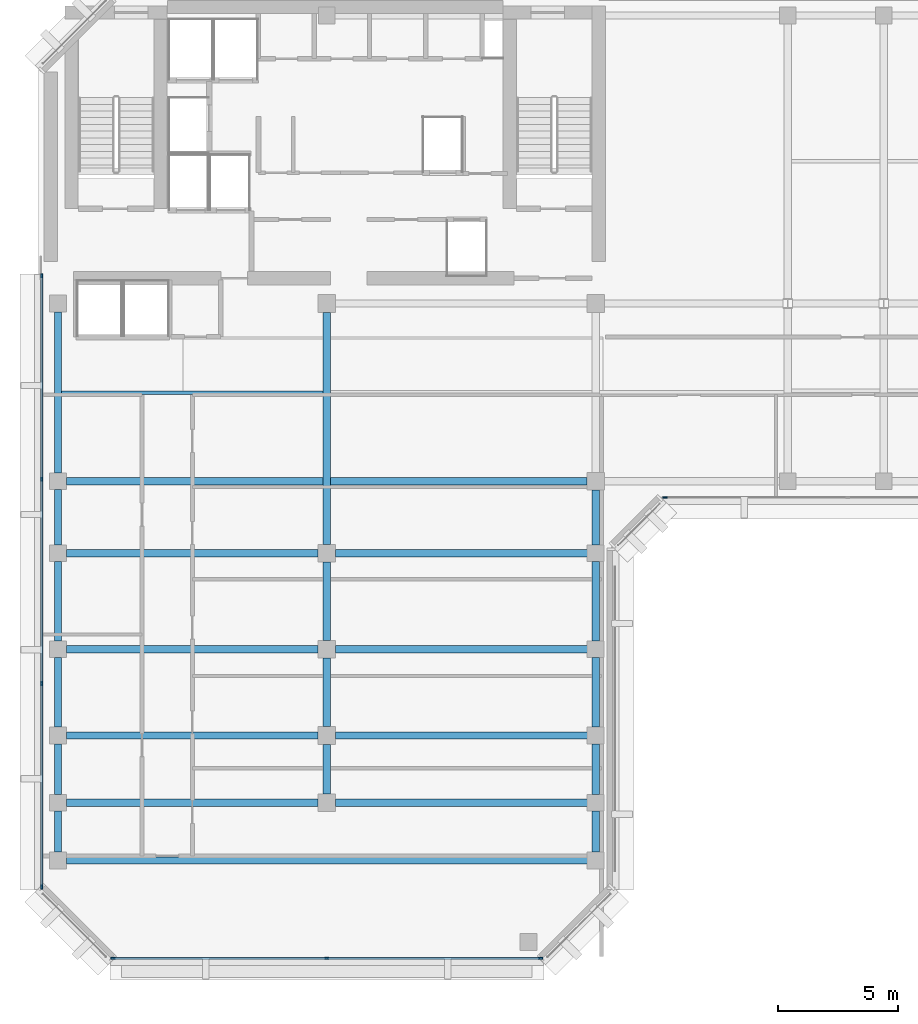
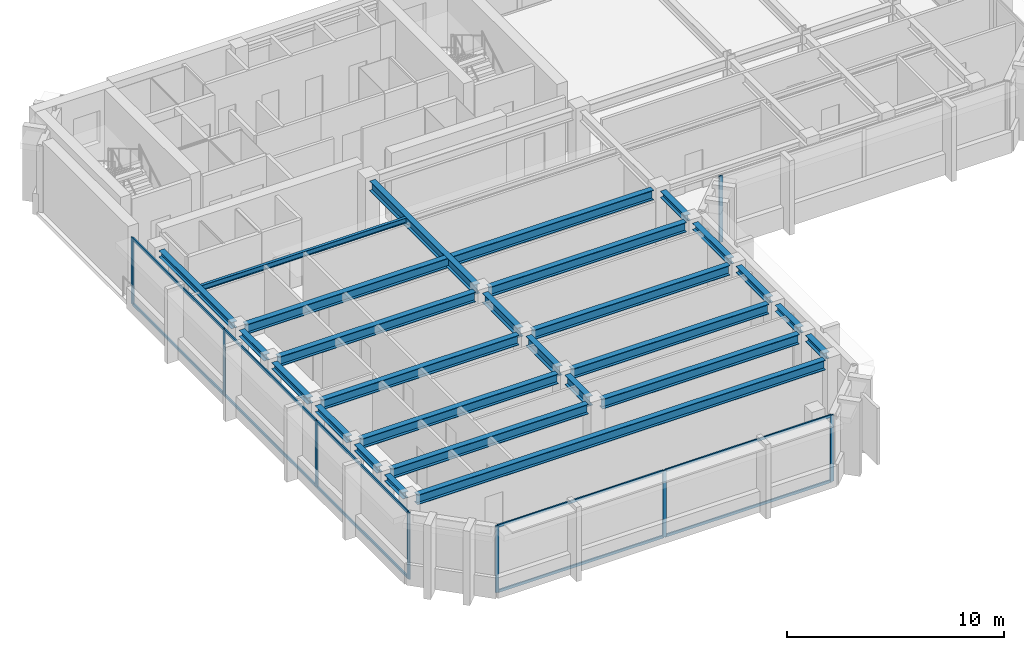
# One storey, part 2 of 11: 26 beams, 18 members, 3 elements without a shape of their own.
"""IFC4 building model written with IfcOpenShell, lengths in metres."""

from ifc_helpers import new_model, si_unit, direction, frame, origin, origin_2d, place, context, subcontext, project, spatial, rectangle, i_section, extrude, material, layer, layer_set, material_profile, profile_set, type_object, element, aggregate, save


model = new_model("IFC4")

# Units and contexts
model_context = context("Model", 3, precision=1e-05, world=origin(), true_north=direction((0.0, 1.0)))
body_context = subcontext(model_context, "Body", "Model", "MODEL_VIEW")
ifc_project = project(units=[si_unit("LENGTHUNIT", "METRE"), si_unit("AREAUNIT", "SQUARE_METRE"), si_unit("VOLUMEUNIT", "CUBIC_METRE"), si_unit("PLANEANGLEUNIT", "RADIAN"), si_unit("MASSUNIT", "GRAM", prefix="KILO")], contexts=[model_context])

# Site, building, storey
site_placement = place(None, origin())
site = spatial("IfcSite", under=ifc_project, at=site_placement, CompositionType="ELEMENT")
building_placement = place(site_placement, origin())
building = spatial("IfcBuilding", under=site, at=building_placement, Name="Kefirva Bronze Tower", CompositionType="ELEMENT")
storey_placement = place(building_placement, frame((0.0, 0.0, 335.610107421875)))
storey = spatial("IfcBuildingStorey", under=building, at=storey_placement, Name="L82", CompositionType="ELEMENT", Elevation=335.610107421875)

# Curtain wall, members
ifc_material_1 = material(Name="Bronze anodised aluminium", Category="aluminium")
ifc_layer = layer(ifc_material_1, 0.179931640625, Name="Bronze anodised aluminium")
ifc_layer_set = layer_set([ifc_layer], Name="Bronze anodised aluminium")
curtain_wall_type = type_object("IfcCurtainWallType", Name="Unitised Bronze Ribbon Curtain Wall Zone 4", PredefinedType="USERDEFINED", material=ifc_layer_set)
curtain_wall_1_placement = place(storey_placement, origin())
curtain_wall_1 = element("IfcCurtainWall", 1, at=curtain_wall_1_placement, inside=storey, type_object=curtain_wall_type, Name="L82 Curtain Wall 1", ObjectType="UNITISED CURTAIN WALL", PredefinedType="USERDEFINED")
ifc_material_profile_1 = material_profile(ifc_material_1, rectangle(XDim=0.074951171875, YDim=0.179931640625, at=origin_2d()), Name="ALU 75x180")
ifc_profile_set_1 = profile_set([ifc_material_profile_1], Name="Bronze anodised aluminium")
member_type_1 = type_object("IfcMemberType", Name="Bronze Mullion 75x180", PredefinedType="MULLION", material=ifc_profile_set_1)
member_1_placement = place(storey_placement, frame((3.092529296875, 5.919921875, 0.0), z_axis=(0.0, 0.0, 1.0), x_axis=(0.0, 1.0, 0.0)))
member_1 = element("IfcMember", 2, at=member_1_placement, type_object=member_type_1, Name="CW-04 mullion 1", PredefinedType="MULLION", context=body_context, shape_type="SweptSolid", body=[
    extrude(rectangle(XDim=0.074951171875, YDim=0.179931640625, at=origin_2d()), origin(), (0.0, 0.0, 1.0), 3.739990234375),
])
member_2_placement = place(storey_placement, frame((12.0, 5.919921875, 0.0), z_axis=(0.0, 0.0, 1.0), x_axis=(0.0, 1.0, 0.0)))
member_2 = element("IfcMember", 3, at=member_2_placement, type_object=member_type_1, Name="CW-04 mullion 2", PredefinedType="MULLION", context=body_context, shape_type="SweptSolid", body=[
    extrude(rectangle(XDim=0.074951171875, YDim=0.179931640625, at=origin_2d()), origin(), (0.0, 0.0, 1.0), 3.739990234375),
])
member_3_placement = place(storey_placement, frame((20.907470703125, 5.919921875, 0.0), z_axis=(0.0, 0.0, 1.0), x_axis=(0.0, 1.0, 0.0)))
member_3 = element("IfcMember", 4, at=member_3_placement, type_object=member_type_1, Name="CW-04 mullion 3", PredefinedType="MULLION", context=body_context, shape_type="SweptSolid", body=[
    extrude(rectangle(XDim=0.074951171875, YDim=0.179931640625, at=origin_2d()), origin(), (0.0, 0.0, 1.0), 3.739990234375),
])

# Curtain wall, member
curtain_wall_2_placement = place(storey_placement, origin())
curtain_wall_2 = element("IfcCurtainWall", 5, at=curtain_wall_2_placement, inside=storey, type_object=curtain_wall_type, Name="L82 Curtain Wall 2", ObjectType="UNITISED CURTAIN WALL", PredefinedType="USERDEFINED")
member_4_placement = place(storey_placement, frame((26.092529296875, 25.1201171875, 0.0), z_axis=(0.0, 0.0, 1.0), x_axis=(0.0, 1.0, 0.0)))
member_4 = element("IfcMember", 6, at=member_4_placement, type_object=member_type_1, Name="CW-04 mullion 1", PredefinedType="MULLION", context=body_context, shape_type="SweptSolid", body=[
    extrude(rectangle(XDim=0.074951171875, YDim=0.179931640625, at=origin_2d()), origin(), (0.0, 0.0, 1.0), 3.739990234375),
])
aggregate(curtain_wall_2, [member_4])

# Curtain wall, members
curtain_wall_3_placement = place(storey_placement, origin())
curtain_wall_3 = element("IfcCurtainWall", 7, at=curtain_wall_3_placement, inside=storey, type_object=curtain_wall_type, Name="L82 Curtain Wall 5", ObjectType="UNITISED CURTAIN WALL", PredefinedType="USERDEFINED")
member_5_placement = place(storey_placement, frame((0.1201171875, 34.357421875, 0.0), z_axis=(0.0, 0.0, 1.0), x_axis=(1.0, 0.0, 0.0)))
member_5 = element("IfcMember", 8, at=member_5_placement, type_object=member_type_1, Name="CW-04 mullion 1", PredefinedType="MULLION", context=body_context, shape_type="SweptSolid", body=[
    extrude(rectangle(XDim=0.074951171875, YDim=0.179931640625, at=origin_2d()), origin(), (0.0, 0.0, 1.0), 3.739990234375),
])
member_6_placement = place(storey_placement, frame((0.1201171875, 25.881591796875, 0.0), z_axis=(0.0, 0.0, 1.0), x_axis=(1.0, 0.0, 0.0)))
member_6 = element("IfcMember", 9, at=member_6_placement, type_object=member_type_1, Name="CW-04 mullion 2", PredefinedType="MULLION", context=body_context, shape_type="SweptSolid", body=[
    extrude(rectangle(XDim=0.074951171875, YDim=0.179931640625, at=origin_2d()), origin(), (0.0, 0.0, 1.0), 3.739990234375),
])
member_7_placement = place(storey_placement, frame((0.1201171875, 17.368408203125, 0.0), z_axis=(0.0, 0.0, 1.0), x_axis=(1.0, 0.0, 0.0)))
member_7 = element("IfcMember", 10, at=member_7_placement, type_object=member_type_1, Name="CW-04 mullion 3", PredefinedType="MULLION", context=body_context, shape_type="SweptSolid", body=[
    extrude(rectangle(XDim=0.074951171875, YDim=0.179931640625, at=origin_2d()), origin(), (0.0, 0.0, 1.0), 3.739990234375),
])
member_8_placement = place(storey_placement, frame((0.1201171875, 8.892578125, 0.0), z_axis=(0.0, 0.0, 1.0), x_axis=(1.0, 0.0, 0.0)))
member_8 = element("IfcMember", 11, at=member_8_placement, type_object=member_type_1, Name="CW-04 mullion 4", PredefinedType="MULLION", context=body_context, shape_type="SweptSolid", body=[
    extrude(rectangle(XDim=0.074951171875, YDim=0.179931640625, at=origin_2d()), origin(), (0.0, 0.0, 1.0), 3.739990234375),
])

# Member
ifc_material_profile_2 = material_profile(ifc_material_1, rectangle(XDim=0.074951171875, YDim=0.14990234375, at=origin_2d()), Name="ALU 75x150")
ifc_profile_set_2 = profile_set([ifc_material_profile_2], Name="Bronze anodised aluminium")
member_type_2 = type_object("IfcMemberType", Name="Bronze Transom 75x150", PredefinedType="USERDEFINED", material=ifc_profile_set_2)
member_9_placement = place(storey_placement, frame((3.1298828125, 5.919921875, 0.037353515625), z_axis=(1.0, 0.0, 0.0), x_axis=(0.0, 1.0, 0.0)))
member_9 = element("IfcMember", 12, at=member_9_placement, type_object=member_type_2, Name="CW-04 transom 1.1", ObjectType="TRANSOM", PredefinedType="USERDEFINED", context=body_context, shape_type="SweptSolid", body=[
    extrude(rectangle(XDim=0.074951171875, YDim=0.14990234375, at=origin_2d()), origin(), (0.0, 0.0, 1.0), 8.83251953125),
])

member_10_placement = place(storey_placement, frame((3.1298828125, 5.919921875, 3.702392578125), z_axis=(1.0, 0.0, 0.0), x_axis=(0.0, 1.0, 0.0)))
member_10 = element("IfcMember", 13, at=member_10_placement, type_object=member_type_2, Name="CW-04 transom 1.2", ObjectType="TRANSOM", PredefinedType="USERDEFINED", context=body_context, shape_type="SweptSolid", body=[
    extrude(rectangle(XDim=0.074951171875, YDim=0.14990234375, at=origin_2d()), origin(), (0.0, 0.0, 1.0), 8.83251953125),
])

member_11_placement = place(storey_placement, frame((12.03759765625, 5.919921875, 0.037353515625), z_axis=(1.0, 0.0, 0.0), x_axis=(0.0, 1.0, 0.0)))
member_11 = element("IfcMember", 14, at=member_11_placement, type_object=member_type_2, Name="CW-04 transom 2.1", ObjectType="TRANSOM", PredefinedType="USERDEFINED", context=body_context, shape_type="SweptSolid", body=[
    extrude(rectangle(XDim=0.074951171875, YDim=0.14990234375, at=origin_2d()), origin(), (0.0, 0.0, 1.0), 8.83251953125),
])

member_12_placement = place(storey_placement, frame((12.03759765625, 5.919921875, 3.702392578125), z_axis=(1.0, 0.0, 0.0), x_axis=(0.0, 1.0, 0.0)))
member_12 = element("IfcMember", 15, at=member_12_placement, type_object=member_type_2, Name="CW-04 transom 2.2", ObjectType="TRANSOM", PredefinedType="USERDEFINED", context=body_context, shape_type="SweptSolid", body=[
    extrude(rectangle(XDim=0.074951171875, YDim=0.14990234375, at=origin_2d()), origin(), (0.0, 0.0, 1.0), 8.83251953125),
])

aggregate(curtain_wall_1, [member_1, member_2, member_3, member_9, member_10, member_11, member_12])

member_13_placement = place(storey_placement, frame((0.1201171875, 34.320068359375, 0.037353515625), z_axis=(0.0, -1.0, 0.0), x_axis=(1.0, 0.0, 0.0)))
member_13 = element("IfcMember", 16, at=member_13_placement, type_object=member_type_2, Name="CW-04 transom 1.1", ObjectType="TRANSOM", PredefinedType="USERDEFINED", context=body_context, shape_type="SweptSolid", body=[
    extrude(rectangle(XDim=0.074951171875, YDim=0.14990234375, at=origin_2d()), origin(), (0.0, 0.0, 1.0), 8.40087890625),
])

member_14_placement = place(storey_placement, frame((0.1201171875, 34.320068359375, 3.702392578125), z_axis=(0.0, -1.0, 0.0), x_axis=(1.0, 0.0, 0.0)))
member_14 = element("IfcMember", 17, at=member_14_placement, type_object=member_type_2, Name="CW-04 transom 1.2", ObjectType="TRANSOM", PredefinedType="USERDEFINED", context=body_context, shape_type="SweptSolid", body=[
    extrude(rectangle(XDim=0.074951171875, YDim=0.14990234375, at=origin_2d()), origin(), (0.0, 0.0, 1.0), 8.40087890625),
])

member_15_placement = place(storey_placement, frame((0.1201171875, 25.84423828125, 0.037353515625), z_axis=(0.0, -1.0, 0.0), x_axis=(1.0, 0.0, 0.0)))
member_15 = element("IfcMember", 18, at=member_15_placement, type_object=member_type_2, Name="CW-04 transom 2.1", ObjectType="TRANSOM", PredefinedType="USERDEFINED", context=body_context, shape_type="SweptSolid", body=[
    extrude(rectangle(XDim=0.074951171875, YDim=0.14990234375, at=origin_2d()), origin(), (0.0, 0.0, 1.0), 8.4384765625),
])

member_16_placement = place(storey_placement, frame((0.1201171875, 25.84423828125, 3.702392578125), z_axis=(0.0, -1.0, 0.0), x_axis=(1.0, 0.0, 0.0)))
member_16 = element("IfcMember", 19, at=member_16_placement, type_object=member_type_2, Name="CW-04 transom 2.2", ObjectType="TRANSOM", PredefinedType="USERDEFINED", context=body_context, shape_type="SweptSolid", body=[
    extrude(rectangle(XDim=0.074951171875, YDim=0.14990234375, at=origin_2d()), origin(), (0.0, 0.0, 1.0), 8.4384765625),
])

member_17_placement = place(storey_placement, frame((0.1201171875, 17.330810546875, 0.037353515625), z_axis=(0.0, -1.0, 0.0), x_axis=(1.0, 0.0, 0.0)))
member_17 = element("IfcMember", 20, at=member_17_placement, type_object=member_type_2, Name="CW-04 transom 3.1", ObjectType="TRANSOM", PredefinedType="USERDEFINED", context=body_context, shape_type="SweptSolid", body=[
    extrude(rectangle(XDim=0.074951171875, YDim=0.14990234375, at=origin_2d()), origin(), (0.0, 0.0, 1.0), 8.40087890625),
])

member_18_placement = place(storey_placement, frame((0.1201171875, 17.330810546875, 3.702392578125), z_axis=(0.0, -1.0, 0.0), x_axis=(1.0, 0.0, 0.0)))
member_18 = element("IfcMember", 21, at=member_18_placement, type_object=member_type_2, Name="CW-04 transom 3.2", ObjectType="TRANSOM", PredefinedType="USERDEFINED", context=body_context, shape_type="SweptSolid", body=[
    extrude(rectangle(XDim=0.074951171875, YDim=0.14990234375, at=origin_2d()), origin(), (0.0, 0.0, 1.0), 8.40087890625),
])

aggregate(curtain_wall_3, [member_5, member_6, member_7, member_8, member_13, member_14, member_15, member_16, member_17, member_18])

# Beams
ifc_material_2 = material(Name="Steel S355", Category="steel")
ifc_material_profile_3 = material_profile(ifc_material_2, i_section(OverallWidth=0.14990234375, OverallDepth=0.300048828125, WebThickness=0.007080078125, FlangeThickness=0.0107421875, at=origin_2d()), Name="IPE 300")
ifc_profile_set_3 = profile_set([ifc_material_profile_3], Name="Steel S355")
beam_type_1 = type_object("IfcBeamType", Name="Steel Floor Joist IPE 300", PredefinedType="JOIST", material=ifc_profile_set_3)
beam_1_placement = place(storey_placement, frame((0.949951171875, 29.489990234375, 3.58984375), z_axis=(1.0, 0.0, 0.0), x_axis=(0.0, 1.0, 0.0)))
element("IfcBeam", 22, at=beam_1_placement, inside=storey, type_object=beam_type_1, Name="L82 JST-L82-0-294", PredefinedType="JOIST", context=body_context, shape_type="SweptSolid", body=[
    extrude(i_section(OverallWidth=0.14990234375, OverallDepth=0.300048828125, WebThickness=0.007080078125, FlangeThickness=0.0107421875, at=origin_2d()), origin(), (0.0, 0.0, 1.0), 10.900146484375),
])
ifc_material_profile_4 = material_profile(ifc_material_2, i_section(OverallWidth=0.300048828125, OverallDepth=0.550048828125, WebThickness=0.014892578125, FlangeThickness=0.029052734375, at=origin_2d()), Name="HEB 550")
ifc_profile_set_4 = profile_set([ifc_material_profile_4], Name="Steel S355")
beam_type_2 = type_object("IfcBeamType", Name="Steel Girder HEB 550", PredefinedType="USERDEFINED", material=ifc_profile_set_4)
beam_2_placement = place(storey_placement, frame((1.14990234375, 10.0, 3.46484375), z_axis=(1.0, 0.0, 0.0), x_axis=(0.0, 1.0, 0.0)))
element("IfcBeam", 23, at=beam_2_placement, inside=storey, type_object=beam_type_2, Name="L82 BM-L82-EW-0-100", ObjectType="GIRDER", PredefinedType="USERDEFINED", context=body_context, shape_type="SweptSolid", body=[
    extrude(i_section(OverallWidth=0.300048828125, OverallDepth=0.550048828125, WebThickness=0.014892578125, FlangeThickness=0.029052734375, at=origin_2d()), origin(), (0.0, 0.0, 1.0), 21.7001953125),
])
for number, where, z_axis, x_axis, name in (
    (24, (1.14990234375, 12.39990234375, 3.46484375), (1.0, 0.0, 0.0), (0.0, 1.0, 0.0), "L82 BM-L82-EW-0-124"),
    (25, (12.3701171875, 12.39990234375, 3.46484375), (1.0, 0.0, 0.0), (0.0, 1.0, 0.0), "L82 BM-L82-EW-12-124"),
    (26, (1.14990234375, 15.199951171875, 3.46484375), (1.0, 0.0, 0.0), (0.0, 1.0, 0.0), "L82 BM-L82-EW-0-152"),
    (27, (12.3701171875, 15.199951171875, 3.46484375), (1.0, 0.0, 0.0), (0.0, 1.0, 0.0), "L82 BM-L82-EW-12-152"),
    (28, (1.14990234375, 18.800048828125, 3.46484375), (1.0, 0.0, 0.0), (0.0, 1.0, 0.0), "L82 BM-L82-EW-0-188"),
    (29, (12.3701171875, 18.800048828125, 3.46484375), (1.0, 0.0, 0.0), (0.0, 1.0, 0.0), "L82 BM-L82-EW-12-188"),
    (30, (1.14990234375, 22.800048828125, 3.46484375), (1.0, 0.0, 0.0), (0.0, 1.0, 0.0), "L82 BM-L82-EW-0-228"),
    (31, (12.3701171875, 22.800048828125, 3.46484375), (1.0, 0.0, 0.0), (0.0, 1.0, 0.0), "L82 BM-L82-EW-12-228"),
):
    element("IfcBeam", number, at=place(storey_placement, frame(where, z_axis=z_axis, x_axis=x_axis)), inside=storey, type_object=beam_type_2, Name=name, ObjectType="GIRDER", PredefinedType="USERDEFINED", context=body_context, shape_type="SweptSolid", body=[
        extrude(i_section(OverallWidth=0.300048828125, OverallDepth=0.550048828125, WebThickness=0.014892578125, FlangeThickness=0.029052734375, at=origin_2d()), origin(), (0.0, 0.0, 1.0), 10.47998046875),
    ])
beam_3_placement = place(storey_placement, frame((1.14990234375, 25.800048828125, 3.46484375), z_axis=(1.0, 0.0, 0.0), x_axis=(0.0, 1.0, 0.0)))
element("IfcBeam", 32, at=beam_3_placement, inside=storey, type_object=beam_type_2, Name="L82 BM-L82-EW-0-258", ObjectType="GIRDER", PredefinedType="USERDEFINED", context=body_context, shape_type="SweptSolid", body=[
    extrude(i_section(OverallWidth=0.300048828125, OverallDepth=0.550048828125, WebThickness=0.014892578125, FlangeThickness=0.029052734375, at=origin_2d()), origin(), (0.0, 0.0, 1.0), 21.68017578125),
])
beam_4_placement = place(storey_placement, frame((12.0, 12.77001953125, 3.46484375), z_axis=(0.0, 1.0, 0.0), x_axis=(-1.0, 0.0, 0.0)))
element("IfcBeam", 33, at=beam_4_placement, inside=storey, type_object=beam_type_2, Name="L82 BM-L82-NS-120-12", ObjectType="GIRDER", PredefinedType="USERDEFINED", context=body_context, shape_type="SweptSolid", body=[
    extrude(i_section(OverallWidth=0.300048828125, OverallDepth=0.550048828125, WebThickness=0.014892578125, FlangeThickness=0.029052734375, at=origin_2d()), origin(), (0.0, 0.0, 1.0), 2.06005859375),
])
beam_5_placement = place(storey_placement, frame((12.0, 15.570068359375, 3.46484375), z_axis=(0.0, 1.0, 0.0), x_axis=(-1.0, 0.0, 0.0)))
element("IfcBeam", 34, at=beam_5_placement, inside=storey, type_object=beam_type_2, Name="L82 BM-L82-NS-120-15", ObjectType="GIRDER", PredefinedType="USERDEFINED", context=body_context, shape_type="SweptSolid", body=[
    extrude(i_section(OverallWidth=0.300048828125, OverallDepth=0.550048828125, WebThickness=0.014892578125, FlangeThickness=0.029052734375, at=origin_2d()), origin(), (0.0, 0.0, 1.0), 2.85986328125),
])
beam_6_placement = place(storey_placement, frame((12.0, 19.169921875, 3.46484375), z_axis=(0.0, 1.0, 0.0), x_axis=(-1.0, 0.0, 0.0)))
element("IfcBeam", 35, at=beam_6_placement, inside=storey, type_object=beam_type_2, Name="L82 BM-L82-NS-120-18", ObjectType="GIRDER", PredefinedType="USERDEFINED", context=body_context, shape_type="SweptSolid", body=[
    extrude(i_section(OverallWidth=0.300048828125, OverallDepth=0.550048828125, WebThickness=0.014892578125, FlangeThickness=0.029052734375, at=origin_2d()), origin(), (0.0, 0.0, 1.0), 3.260009765625),
])
beam_7_placement = place(storey_placement, frame((12.0, 23.169921875, 3.46484375), z_axis=(0.0, 1.0, 0.0), x_axis=(-1.0, 0.0, 0.0)))
element("IfcBeam", 36, at=beam_7_placement, inside=storey, type_object=beam_type_2, Name="L82 BM-L82-NS-120-22", ObjectType="GIRDER", PredefinedType="USERDEFINED", context=body_context, shape_type="SweptSolid", body=[
    extrude(i_section(OverallWidth=0.300048828125, OverallDepth=0.550048828125, WebThickness=0.014892578125, FlangeThickness=0.029052734375, at=origin_2d()), origin(), (0.0, 0.0, 1.0), 9.66015625),
])
ifc_material_profile_5 = material_profile(ifc_material_2, i_section(OverallWidth=0.300048828125, OverallDepth=0.360107421875, WebThickness=0.012451171875, FlangeThickness=0.0224609375, at=origin_2d()), Name="HEB 360")
ifc_profile_set_5 = profile_set([ifc_material_profile_5], Name="Steel S355")
beam_type_3 = type_object("IfcBeamType", Name="Steel Spandrel HEB 360 Ext", PredefinedType="SPANDREL", material=ifc_profile_set_5)
beam_8_placement = place(storey_placement, frame((0.800048828125, 10.35009765625, 3.559814453125), z_axis=(0.0, 1.0, 0.0), x_axis=(-1.0, 0.0, 0.0)))
element("IfcBeam", 37, at=beam_8_placement, inside=storey, type_object=beam_type_3, Name="L82 BM-L82-NS-8-10", PredefinedType="SPANDREL", context=body_context, shape_type="SweptSolid", body=[
    extrude(i_section(OverallWidth=0.300048828125, OverallDepth=0.360107421875, WebThickness=0.012451171875, FlangeThickness=0.0224609375, at=origin_2d()), origin(), (0.0, 0.0, 1.0), 1.699951171875),
])
beam_9_placement = place(storey_placement, frame((0.800048828125, 12.75, 3.559814453125), z_axis=(0.0, 1.0, 0.0), x_axis=(-1.0, 0.0, 0.0)))
element("IfcBeam", 38, at=beam_9_placement, inside=storey, type_object=beam_type_3, Name="L82 BM-L82-NS-8-12", PredefinedType="SPANDREL", context=body_context, shape_type="SweptSolid", body=[
    extrude(i_section(OverallWidth=0.300048828125, OverallDepth=0.360107421875, WebThickness=0.012451171875, FlangeThickness=0.0224609375, at=origin_2d()), origin(), (0.0, 0.0, 1.0), 2.10009765625),
])
beam_10_placement = place(storey_placement, frame((0.800048828125, 15.550048828125, 3.559814453125), z_axis=(0.0, 1.0, 0.0), x_axis=(-1.0, 0.0, 0.0)))
element("IfcBeam", 39, at=beam_10_placement, inside=storey, type_object=beam_type_3, Name="L82 BM-L82-NS-8-15", PredefinedType="SPANDREL", context=body_context, shape_type="SweptSolid", body=[
    extrude(i_section(OverallWidth=0.300048828125, OverallDepth=0.360107421875, WebThickness=0.012451171875, FlangeThickness=0.0224609375, at=origin_2d()), origin(), (0.0, 0.0, 1.0), 2.89990234375),
])
beam_11_placement = place(storey_placement, frame((0.800048828125, 19.14990234375, 3.559814453125), z_axis=(0.0, 1.0, 0.0), x_axis=(-1.0, 0.0, 0.0)))
element("IfcBeam", 40, at=beam_11_placement, inside=storey, type_object=beam_type_3, Name="L82 BM-L82-NS-8-18", PredefinedType="SPANDREL", context=body_context, shape_type="SweptSolid", body=[
    extrude(i_section(OverallWidth=0.300048828125, OverallDepth=0.360107421875, WebThickness=0.012451171875, FlangeThickness=0.0224609375, at=origin_2d()), origin(), (0.0, 0.0, 1.0), 3.300048828125),
])
beam_12_placement = place(storey_placement, frame((0.800048828125, 23.14990234375, 3.559814453125), z_axis=(0.0, 1.0, 0.0), x_axis=(-1.0, 0.0, 0.0)))
element("IfcBeam", 41, at=beam_12_placement, inside=storey, type_object=beam_type_3, Name="L82 BM-L82-NS-8-22", PredefinedType="SPANDREL", context=body_context, shape_type="SweptSolid", body=[
    extrude(i_section(OverallWidth=0.300048828125, OverallDepth=0.360107421875, WebThickness=0.012451171875, FlangeThickness=0.0224609375, at=origin_2d()), origin(), (0.0, 0.0, 1.0), 2.300048828125),
])
beam_13_placement = place(storey_placement, frame((0.800048828125, 26.14990234375, 3.559814453125), z_axis=(0.0, 1.0, 0.0), x_axis=(-1.0, 0.0, 0.0)))
element("IfcBeam", 42, at=beam_13_placement, inside=storey, type_object=beam_type_3, Name="L82 BM-L82-NS-8-25", PredefinedType="SPANDREL", context=body_context, shape_type="SweptSolid", body=[
    extrude(i_section(OverallWidth=0.300048828125, OverallDepth=0.360107421875, WebThickness=0.012451171875, FlangeThickness=0.0224609375, at=origin_2d()), origin(), (0.0, 0.0, 1.0), 6.7001953125),
])
beam_14_placement = place(storey_placement, frame((23.199951171875, 10.35009765625, 3.559814453125), z_axis=(0.0, 1.0, 0.0), x_axis=(-1.0, 0.0, 0.0)))
element("IfcBeam", 43, at=beam_14_placement, inside=storey, type_object=beam_type_3, Name="L82 BM-L82-NS-232-10", PredefinedType="SPANDREL", context=body_context, shape_type="SweptSolid", body=[
    extrude(i_section(OverallWidth=0.300048828125, OverallDepth=0.360107421875, WebThickness=0.012451171875, FlangeThickness=0.0224609375, at=origin_2d()), origin(), (0.0, 0.0, 1.0), 1.699951171875),
])
beam_15_placement = place(storey_placement, frame((23.199951171875, 12.75, 3.559814453125), z_axis=(0.0, 1.0, 0.0), x_axis=(-1.0, 0.0, 0.0)))
element("IfcBeam", 44, at=beam_15_placement, inside=storey, type_object=beam_type_3, Name="L82 BM-L82-NS-232-12", PredefinedType="SPANDREL", context=body_context, shape_type="SweptSolid", body=[
    extrude(i_section(OverallWidth=0.300048828125, OverallDepth=0.360107421875, WebThickness=0.012451171875, FlangeThickness=0.0224609375, at=origin_2d()), origin(), (0.0, 0.0, 1.0), 2.10009765625),
])
beam_16_placement = place(storey_placement, frame((23.199951171875, 15.550048828125, 3.559814453125), z_axis=(0.0, 1.0, 0.0), x_axis=(-1.0, 0.0, 0.0)))
element("IfcBeam", 45, at=beam_16_placement, inside=storey, type_object=beam_type_3, Name="L82 BM-L82-NS-232-15", PredefinedType="SPANDREL", context=body_context, shape_type="SweptSolid", body=[
    extrude(i_section(OverallWidth=0.300048828125, OverallDepth=0.360107421875, WebThickness=0.012451171875, FlangeThickness=0.0224609375, at=origin_2d()), origin(), (0.0, 0.0, 1.0), 2.89990234375),
])
beam_17_placement = place(storey_placement, frame((23.199951171875, 19.14990234375, 3.559814453125), z_axis=(0.0, 1.0, 0.0), x_axis=(-1.0, 0.0, 0.0)))
element("IfcBeam", 46, at=beam_17_placement, inside=storey, type_object=beam_type_3, Name="L82 BM-L82-NS-232-18", PredefinedType="SPANDREL", context=body_context, shape_type="SweptSolid", body=[
    extrude(i_section(OverallWidth=0.300048828125, OverallDepth=0.360107421875, WebThickness=0.012451171875, FlangeThickness=0.0224609375, at=origin_2d()), origin(), (0.0, 0.0, 1.0), 3.300048828125),
])
beam_18_placement = place(storey_placement, frame((23.199951171875, 23.14990234375, 3.559814453125), z_axis=(0.0, 1.0, 0.0), x_axis=(-1.0, 0.0, 0.0)))
element("IfcBeam", 47, at=beam_18_placement, inside=storey, type_object=beam_type_3, Name="L82 BM-L82-NS-232-22", PredefinedType="SPANDREL", context=body_context, shape_type="SweptSolid", body=[
    extrude(i_section(OverallWidth=0.300048828125, OverallDepth=0.360107421875, WebThickness=0.012451171875, FlangeThickness=0.0224609375, at=origin_2d()), origin(), (0.0, 0.0, 1.0), 2.280029296875),
])

save(model, "model.ifc")
